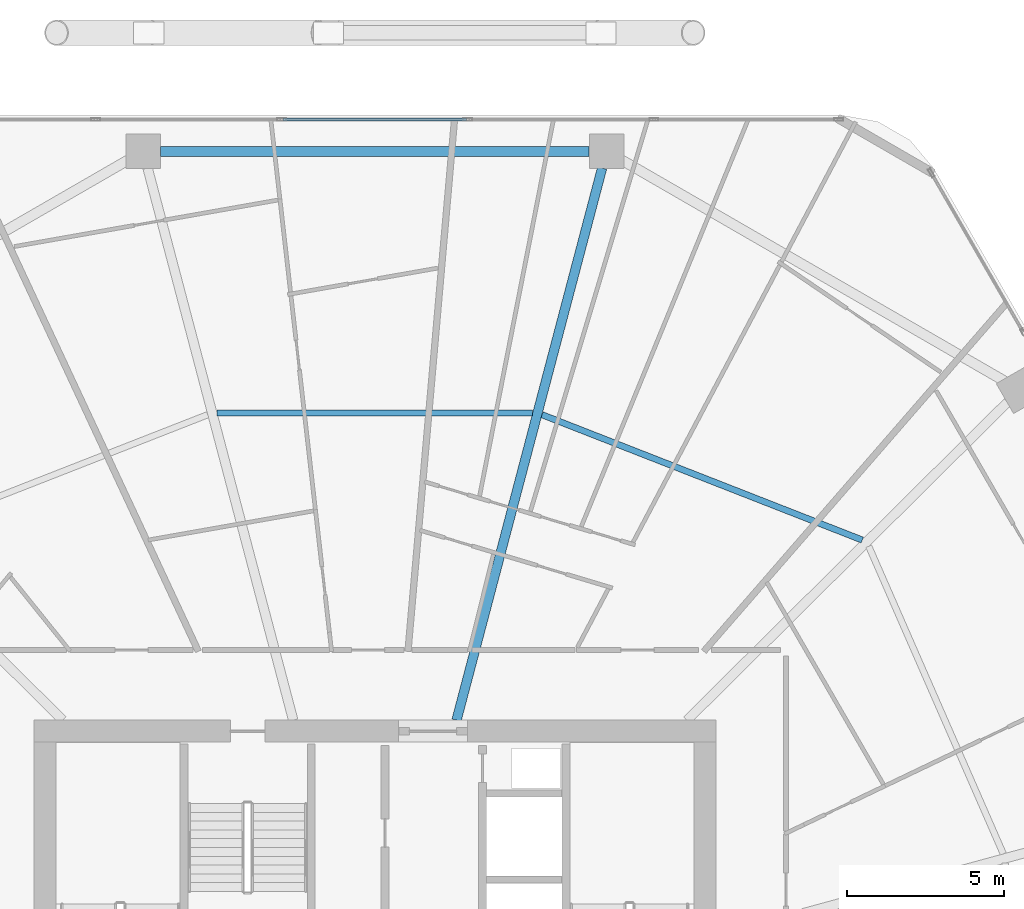
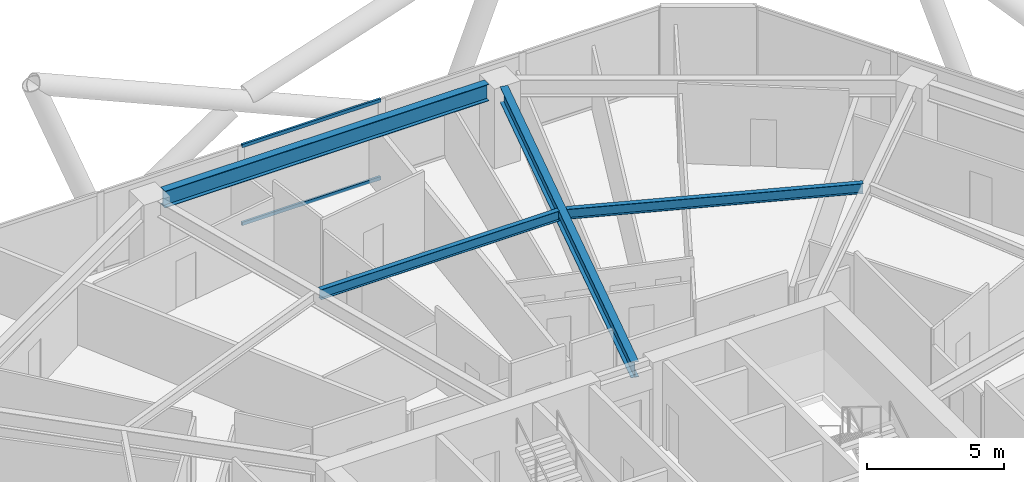
# One storey, part 21 of 34: 4 beams, 2 members, 1 element without a shape of its own.
"""IFC4 building model written with IfcOpenShell, lengths in metres."""

from ifc_helpers import new_model, si_unit, direction, frame, origin, origin_2d, place, context, subcontext, project, spatial, hollow_rectangle, i_section, extrude, material, material_profile, profile_set, type_object, element, aggregate, save


model = new_model("IFC4")

# Units and contexts
model_context = context("Model", 3, precision=1e-05, world=origin(), true_north=direction((0.0, 1.0)))
body_context = subcontext(model_context, "Body", "Model", "MODEL_VIEW")
ifc_project = project(units=[si_unit("LENGTHUNIT", "METRE"), si_unit("AREAUNIT", "SQUARE_METRE"), si_unit("VOLUMEUNIT", "CUBIC_METRE"), si_unit("PLANEANGLEUNIT", "RADIAN"), si_unit("MASSUNIT", "GRAM", prefix="KILO")], contexts=[model_context])

# Site, building, storey
site_placement = place(None, origin())
site = spatial("IfcSite", under=ifc_project, at=site_placement, CompositionType="ELEMENT")
building_placement = place(site_placement, origin())
building = spatial("IfcBuilding", under=site, at=building_placement, Name="Zuhravey Tower", CompositionType="ELEMENT")
storey_placement = place(building_placement, frame((0.0, 0.0, 130.39990234375)))
storey = spatial("IfcBuildingStorey", under=building, at=storey_placement, Name="L32", CompositionType="ELEMENT", Elevation=130.39990234375)

# Curtain wall, members
ifc_material_1 = material(Name="Thermally broken anodised aluminium", Category="aluminium")
curtain_wall_type = type_object("IfcCurtainWallType", Name="Zone 1-2 Residential Curtain Wall CW3", PredefinedType="NOTDEFINED", material=ifc_material_1)
curtain_wall_placement = place(storey_placement, origin())
curtain_wall = element("IfcCurtainWall", 1, at=curtain_wall_placement, inside=storey, type_object=curtain_wall_type, Name="L32 CW3 CW-L32-F2-1", PredefinedType="NOTDEFINED")
ifc_material_2 = material(Name="Anodised aluminium", Category="aluminium")
ifc_material_profile_1 = material_profile(ifc_material_2, hollow_rectangle(XDim=0.090087890625, YDim=0.14990234375, WallThickness=0.0048828125, at=origin_2d()), Name="ALU-RHS-90x150x5")
ifc_profile_set_1 = profile_set([ifc_material_profile_1], Name="Anodised aluminium")
member_type = type_object("IfcMemberType", Name="Curtain-Wall Transom 90x150", PredefinedType="USERDEFINED", material=ifc_profile_set_1)
member_1_placement = place(storey_placement, frame((33.085205078125, 60.95849609375, 0.045166015625), z_axis=(1.0, 0.0, 0.0), x_axis=(0.0, 1.0, 0.0)))
member_1 = element("IfcMember", 2, at=member_1_placement, type_object=member_type, Name="CW3 transom 3.1", ObjectType="TRANSOM", PredefinedType="USERDEFINED", context=body_context, shape_type="SweptSolid", body=[
    extrude(hollow_rectangle(XDim=0.090087890625, YDim=0.14990234375, WallThickness=0.0048828125, at=origin_2d()), origin(), (0.0, 0.0, 1.0), 5.82958984375),
])
member_2_placement = place(storey_placement, frame((33.085205078125, 60.95849609375, 3.505126953125), z_axis=(1.0, 0.0, 0.0), x_axis=(0.0, 1.0, 0.0)))
member_2 = element("IfcMember", 3, at=member_2_placement, type_object=member_type, Name="CW3 transom 3.2", ObjectType="TRANSOM", PredefinedType="USERDEFINED", context=body_context, shape_type="SweptSolid", body=[
    extrude(hollow_rectangle(XDim=0.090087890625, YDim=0.14990234375, WallThickness=0.0048828125, at=origin_2d()), origin(), (0.0, 0.0, 1.0), 5.82958984375),
])
aggregate(curtain_wall, [member_1, member_2])

# Beams
ifc_material_3 = material(Name="Steel SM355", Category="steel")
ifc_material_profile_2 = material_profile(ifc_material_3, i_section(OverallWidth=0.320068359375, OverallDepth=0.75, WebThickness=0.013916015625, FlangeThickness=0.02490234375, at=origin_2d()), Name="H-750x320x14x25")
ifc_profile_set_2 = profile_set([ifc_material_profile_2], Name="Steel SM355")
beam_type_1 = type_object("IfcBeamType", Name="Perimeter Ring Beam H750x320", PredefinedType="BEAM", material=ifc_profile_set_2)
beam_1_placement = place(storey_placement, frame((42.81689453125, 59.948486328125, 3.175048828125), z_axis=(-1.0, 0.0, 0.0), x_axis=(0.0, -1.0, 0.0)))
element("IfcBeam", 4, at=beam_1_placement, inside=storey, type_object=beam_type_1, Name="L32 PB1 BM-L32-PB-03", PredefinedType="BEAM", context=body_context, shape_type="SweptSolid", body=[
    extrude(i_section(OverallWidth=0.320068359375, OverallDepth=0.75, WebThickness=0.013916015625, FlangeThickness=0.02490234375, at=origin_2d()), origin(), (0.0, 0.0, 1.0), 13.6337890625),
])
ifc_material_profile_3 = material_profile(ifc_material_3, i_section(OverallWidth=0.300048828125, OverallDepth=0.699951171875, WebThickness=0.012939453125, FlangeThickness=0.02392578125, at=origin_2d()), Name="H-700x300x13x24")
ifc_profile_set_3 = profile_set([ifc_material_profile_3], Name="Steel SM355")
beam_type_2 = type_object("IfcBeamType", Name="Radial Primary Girder H700x300", PredefinedType="BEAM", material=ifc_profile_set_3)
beam_2_placement = place(storey_placement, frame((38.59814453125, 41.85302734375, 3.2001953125), z_axis=(0.25498755891, 0.966944333869, 0.0), x_axis=(-0.966944333869, 0.25498755891, 0.0)))
element("IfcBeam", 5, at=beam_2_placement, inside=storey, type_object=beam_type_2, Name="L32 RG1 BM-L32-RAD-03", PredefinedType="BEAM", context=body_context, shape_type="SweptSolid", body=[
    extrude(i_section(OverallWidth=0.300048828125, OverallDepth=0.699951171875, WebThickness=0.012939453125, FlangeThickness=0.02392578125, at=origin_2d()), origin(), (0.0, 0.0, 1.0), 18.1611328125),
])
ifc_material_profile_4 = material_profile(ifc_material_3, i_section(OverallWidth=0.199951171875, OverallDepth=0.449951171875, WebThickness=0.009033203125, FlangeThickness=0.013916015625, at=origin_2d()), Name="H-450x200x9x14")
ifc_profile_set_4 = profile_set([ifc_material_profile_4], Name="Steel SM355")
beam_type_3 = type_object("IfcBeamType", Name="Secondary Floor Joist H450x200", PredefinedType="JOIST", material=ifc_profile_set_4)
beam_3_placement = place(storey_placement, frame((51.50537109375, 47.581298828125, 3.3251953125), z_axis=(-0.931216764731, 0.364465824302, 0.0), x_axis=(-0.364465824302, -0.931216764731, 0.0)))
element("IfcBeam", 6, at=beam_3_placement, inside=storey, type_object=beam_type_3, Name="L32 SJ1 BM-L32-SJ-02-1", PredefinedType="JOIST", context=body_context, shape_type="SweptSolid", body=[
    extrude(i_section(OverallWidth=0.199951171875, OverallDepth=0.449951171875, WebThickness=0.009033203125, FlangeThickness=0.013916015625, at=origin_2d()), origin(), (0.0, 0.0, 1.0), 10.939453125),
])
beam_4_placement = place(storey_placement, frame((41.02099609375, 51.62451171875, 3.3251953125), z_axis=(-1.0, 0.0, 0.0), x_axis=(0.0, -1.0, 0.0)))
element("IfcBeam", 7, at=beam_4_placement, inside=storey, type_object=beam_type_3, Name="L32 SJ1 BM-L32-SJ-03-1", PredefinedType="JOIST", context=body_context, shape_type="SweptSolid", body=[
    extrude(i_section(OverallWidth=0.199951171875, OverallDepth=0.449951171875, WebThickness=0.009033203125, FlangeThickness=0.013916015625, at=origin_2d()), origin(), (0.0, 0.0, 1.0), 10.0419921875),
])

save(model, "model.ifc")
